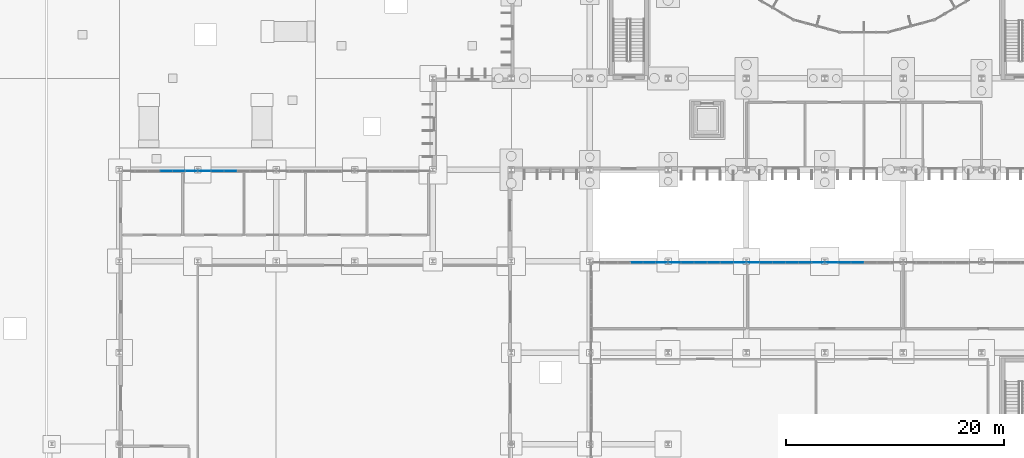
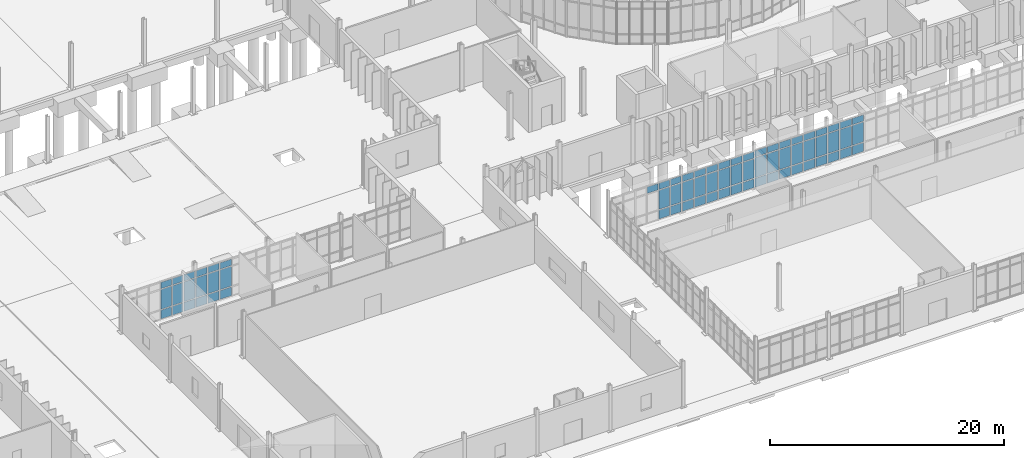
# One storey, part 56 of 118: 70 plates, 6 elements without a shape of their own.
"""IFC4 building model written with IfcOpenShell, lengths in metres."""

from ifc_helpers import new_model, si_unit, direction, frame, origin, origin_2d, place, context, subcontext, project, spatial, rectangle, extrude, material, layer, layer_set, type_object, element, aggregate, save


model = new_model("IFC4")

# Units and contexts
model_context = context("Model", 3, precision=1e-05, world=origin(), true_north=direction((0.0, 1.0)))
body_context = subcontext(model_context, "Body", "Model", "MODEL_VIEW")
ifc_project = project(units=[si_unit("LENGTHUNIT", "METRE"), si_unit("AREAUNIT", "SQUARE_METRE"), si_unit("VOLUMEUNIT", "CUBIC_METRE"), si_unit("PLANEANGLEUNIT", "RADIAN"), si_unit("MASSUNIT", "GRAM", prefix="KILO")], contexts=[model_context])

# Site, building, storey
site_placement = place(None, origin())
site = spatial("IfcSite", under=ifc_project, at=site_placement, CompositionType="ELEMENT")
building_placement = place(site_placement, origin())
building = spatial("IfcBuilding", under=site, at=building_placement, Name="Qelthora Terrace Specialist Clinic", CompositionType="ELEMENT")
storey_placement = place(building_placement, origin())
storey = spatial("IfcBuildingStorey", under=building, at=storey_placement, Name="L00", CompositionType="ELEMENT", Elevation=0.0)

# Curtain wall, plates
ifc_material_1 = material(Name="Aluminium anodized bronze", Category="aluminium")
curtain_wall_type_1 = type_object("IfcCurtainWallType", Name="CW-HALL-L00", PredefinedType="NOTDEFINED", material=ifc_material_1)
curtain_wall_1_placement = place(storey_placement, origin())
curtain_wall_1 = element("IfcCurtainWall", 1, at=curtain_wall_1_placement, inside=storey, type_object=curtain_wall_type_1, Name="Curtain wall CW-L00-201", PredefinedType="NOTDEFINED")
ifc_material_2 = material(Name="Low-E triple-silver insulating glass", Category="glass")
ifc_layer = layer(ifc_material_2, 0.035888671875)
ifc_layer_set = layer_set([ifc_layer], Name="Low-E triple-silver insulating glass")
plate_type = type_object("IfcPlateType", Name="CWP-IGU-36", PredefinedType="CURTAIN_PANEL", material=ifc_layer_set)
plate_1_placement = place(storey_placement, frame((61.908447265625, 33.47998046875, 0.0849609375), z_axis=(0.0, 0.0, 1.0), x_axis=(1.0, 0.0, 0.0)))
plate_1 = element("IfcPlate", 2, at=plate_1_placement, type_object=plate_type, Name="CW-L00-201 glazed panel 10", PredefinedType="CURTAIN_PANEL", context=body_context, shape_type="SweptSolid", body=[
    extrude(rectangle(XDim=1.056640625, YDim=0.035888671875, at=origin_2d()), origin(), (0.0, 0.0, 1.0), 0.919921875),
])
plate_2_placement = place(storey_placement, frame((61.908447265625, 33.47998046875, 1.094970703125), z_axis=(0.0, 0.0, 1.0), x_axis=(1.0, 0.0, 0.0)))
plate_2 = element("IfcPlate", 3, at=plate_2_placement, type_object=plate_type, Name="CW-L00-201 glazed panel 11", PredefinedType="CURTAIN_PANEL", context=body_context, shape_type="SweptSolid", body=[
    extrude(rectangle(XDim=1.056640625, YDim=0.035888671875, at=origin_2d()), origin(), (0.0, 0.0, 1.0), 2.05810546875),
])
plate_3_placement = place(storey_placement, frame((61.908447265625, 33.47998046875, 3.242919921875), z_axis=(0.0, 0.0, 1.0), x_axis=(1.0, 0.0, 0.0)))
plate_3 = element("IfcPlate", 4, at=plate_3_placement, type_object=plate_type, Name="CW-L00-201 glazed panel 12", PredefinedType="CURTAIN_PANEL", context=body_context, shape_type="SweptSolid", body=[
    extrude(rectangle(XDim=1.056640625, YDim=0.035888671875, at=origin_2d()), origin(), (0.0, 0.0, 1.0), 0.669921875),
])
plate_4_placement = place(storey_placement, frame((63.06494140625, 33.47998046875, 0.0849609375), z_axis=(0.0, 0.0, 1.0), x_axis=(1.0, 0.0, 0.0)))
plate_4 = element("IfcPlate", 5, at=plate_4_placement, type_object=plate_type, Name="CW-L00-201 glazed panel 13", PredefinedType="CURTAIN_PANEL", context=body_context, shape_type="SweptSolid", body=[
    extrude(rectangle(XDim=1.056640625, YDim=0.035888671875, at=origin_2d()), origin(), (0.0, 0.0, 1.0), 0.919921875),
])
plate_5_placement = place(storey_placement, frame((63.06494140625, 33.47998046875, 1.094970703125), z_axis=(0.0, 0.0, 1.0), x_axis=(1.0, 0.0, 0.0)))
plate_5 = element("IfcPlate", 6, at=plate_5_placement, type_object=plate_type, Name="CW-L00-201 glazed panel 14", PredefinedType="CURTAIN_PANEL", context=body_context, shape_type="SweptSolid", body=[
    extrude(rectangle(XDim=1.056640625, YDim=0.035888671875, at=origin_2d()), origin(), (0.0, 0.0, 1.0), 2.05810546875),
])
plate_6_placement = place(storey_placement, frame((63.06494140625, 33.47998046875, 3.242919921875), z_axis=(0.0, 0.0, 1.0), x_axis=(1.0, 0.0, 0.0)))
plate_6 = element("IfcPlate", 7, at=plate_6_placement, type_object=plate_type, Name="CW-L00-201 glazed panel 15", PredefinedType="CURTAIN_PANEL", context=body_context, shape_type="SweptSolid", body=[
    extrude(rectangle(XDim=1.056640625, YDim=0.035888671875, at=origin_2d()), origin(), (0.0, 0.0, 1.0), 0.669921875),
])
plate_7_placement = place(storey_placement, frame((64.2216796875, 33.47998046875, 0.0849609375), z_axis=(0.0, 0.0, 1.0), x_axis=(1.0, 0.0, 0.0)))
plate_7 = element("IfcPlate", 8, at=plate_7_placement, type_object=plate_type, Name="CW-L00-201 glazed panel 16", PredefinedType="CURTAIN_PANEL", context=body_context, shape_type="SweptSolid", body=[
    extrude(rectangle(XDim=1.056640625, YDim=0.035888671875, at=origin_2d()), origin(), (0.0, 0.0, 1.0), 0.919921875),
])
plate_8_placement = place(storey_placement, frame((64.2216796875, 33.47998046875, 1.094970703125), z_axis=(0.0, 0.0, 1.0), x_axis=(1.0, 0.0, 0.0)))
plate_8 = element("IfcPlate", 9, at=plate_8_placement, type_object=plate_type, Name="CW-L00-201 glazed panel 17", PredefinedType="CURTAIN_PANEL", context=body_context, shape_type="SweptSolid", body=[
    extrude(rectangle(XDim=1.056640625, YDim=0.035888671875, at=origin_2d()), origin(), (0.0, 0.0, 1.0), 2.05810546875),
])
plate_9_placement = place(storey_placement, frame((64.2216796875, 33.47998046875, 3.242919921875), z_axis=(0.0, 0.0, 1.0), x_axis=(1.0, 0.0, 0.0)))
plate_9 = element("IfcPlate", 10, at=plate_9_placement, type_object=plate_type, Name="CW-L00-201 glazed panel 18", PredefinedType="CURTAIN_PANEL", context=body_context, shape_type="SweptSolid", body=[
    extrude(rectangle(XDim=1.056640625, YDim=0.035888671875, at=origin_2d()), origin(), (0.0, 0.0, 1.0), 0.669921875),
])
aggregate(curtain_wall_1, [plate_1, plate_2, plate_3, plate_4, plate_5, plate_6, plate_7, plate_8, plate_9])

curtain_wall_2_placement = place(storey_placement, origin())
curtain_wall_2 = element("IfcCurtainWall", 11, at=curtain_wall_2_placement, inside=storey, type_object=curtain_wall_type_1, Name="Curtain wall CW-L00-202", PredefinedType="NOTDEFINED")
plate_10_placement = place(storey_placement, frame((65.39990234375, 33.47998046875, 0.0849609375), z_axis=(0.0, 0.0, 1.0), x_axis=(1.0, 0.0, 0.0)))
plate_10 = element("IfcPlate", 12, at=plate_10_placement, type_object=plate_type, Name="CW-L00-202 glazed panel 1", PredefinedType="CURTAIN_PANEL", context=body_context, shape_type="SweptSolid", body=[
    extrude(rectangle(XDim=1.10009765625, YDim=0.035888671875, at=origin_2d()), origin(), (0.0, 0.0, 1.0), 0.919921875),
])
plate_11_placement = place(storey_placement, frame((65.39990234375, 33.47998046875, 1.094970703125), z_axis=(0.0, 0.0, 1.0), x_axis=(1.0, 0.0, 0.0)))
plate_11 = element("IfcPlate", 13, at=plate_11_placement, type_object=plate_type, Name="CW-L00-202 glazed panel 2", PredefinedType="CURTAIN_PANEL", context=body_context, shape_type="SweptSolid", body=[
    extrude(rectangle(XDim=1.10009765625, YDim=0.035888671875, at=origin_2d()), origin(), (0.0, 0.0, 1.0), 2.05810546875),
])
plate_12_placement = place(storey_placement, frame((65.39990234375, 33.47998046875, 3.242919921875), z_axis=(0.0, 0.0, 1.0), x_axis=(1.0, 0.0, 0.0)))
plate_12 = element("IfcPlate", 14, at=plate_12_placement, type_object=plate_type, Name="CW-L00-202 glazed panel 3", PredefinedType="CURTAIN_PANEL", context=body_context, shape_type="SweptSolid", body=[
    extrude(rectangle(XDim=1.10009765625, YDim=0.035888671875, at=origin_2d()), origin(), (0.0, 0.0, 1.0), 0.669921875),
])
plate_13_placement = place(storey_placement, frame((66.60009765625, 33.47998046875, 0.0849609375), z_axis=(0.0, 0.0, 1.0), x_axis=(1.0, 0.0, 0.0)))
plate_13 = element("IfcPlate", 15, at=plate_13_placement, type_object=plate_type, Name="CW-L00-202 glazed panel 4", PredefinedType="CURTAIN_PANEL", context=body_context, shape_type="SweptSolid", body=[
    extrude(rectangle(XDim=1.10009765625, YDim=0.035888671875, at=origin_2d()), origin(), (0.0, 0.0, 1.0), 0.919921875),
])
plate_14_placement = place(storey_placement, frame((66.60009765625, 33.47998046875, 1.094970703125), z_axis=(0.0, 0.0, 1.0), x_axis=(1.0, 0.0, 0.0)))
plate_14 = element("IfcPlate", 16, at=plate_14_placement, type_object=plate_type, Name="CW-L00-202 glazed panel 5", PredefinedType="CURTAIN_PANEL", context=body_context, shape_type="SweptSolid", body=[
    extrude(rectangle(XDim=1.10009765625, YDim=0.035888671875, at=origin_2d()), origin(), (0.0, 0.0, 1.0), 2.05810546875),
])
plate_15_placement = place(storey_placement, frame((66.60009765625, 33.47998046875, 3.242919921875), z_axis=(0.0, 0.0, 1.0), x_axis=(1.0, 0.0, 0.0)))
plate_15 = element("IfcPlate", 17, at=plate_15_placement, type_object=plate_type, Name="CW-L00-202 glazed panel 6", PredefinedType="CURTAIN_PANEL", context=body_context, shape_type="SweptSolid", body=[
    extrude(rectangle(XDim=1.10009765625, YDim=0.035888671875, at=origin_2d()), origin(), (0.0, 0.0, 1.0), 0.669921875),
])
plate_16_placement = place(storey_placement, frame((67.800048828125, 33.47998046875, 0.0849609375), z_axis=(0.0, 0.0, 1.0), x_axis=(1.0, 0.0, 0.0)))
plate_16 = element("IfcPlate", 18, at=plate_16_placement, type_object=plate_type, Name="CW-L00-202 glazed panel 7", PredefinedType="CURTAIN_PANEL", context=body_context, shape_type="SweptSolid", body=[
    extrude(rectangle(XDim=1.10009765625, YDim=0.035888671875, at=origin_2d()), origin(), (0.0, 0.0, 1.0), 0.919921875),
])
plate_17_placement = place(storey_placement, frame((67.800048828125, 33.47998046875, 1.094970703125), z_axis=(0.0, 0.0, 1.0), x_axis=(1.0, 0.0, 0.0)))
plate_17 = element("IfcPlate", 19, at=plate_17_placement, type_object=plate_type, Name="CW-L00-202 glazed panel 8", PredefinedType="CURTAIN_PANEL", context=body_context, shape_type="SweptSolid", body=[
    extrude(rectangle(XDim=1.10009765625, YDim=0.035888671875, at=origin_2d()), origin(), (0.0, 0.0, 1.0), 2.05810546875),
])
plate_18_placement = place(storey_placement, frame((67.800048828125, 33.47998046875, 3.242919921875), z_axis=(0.0, 0.0, 1.0), x_axis=(1.0, 0.0, 0.0)))
plate_18 = element("IfcPlate", 20, at=plate_18_placement, type_object=plate_type, Name="CW-L00-202 glazed panel 9", PredefinedType="CURTAIN_PANEL", context=body_context, shape_type="SweptSolid", body=[
    extrude(rectangle(XDim=1.10009765625, YDim=0.035888671875, at=origin_2d()), origin(), (0.0, 0.0, 1.0), 0.669921875),
])
aggregate(curtain_wall_2, [plate_10, plate_11, plate_12, plate_13, plate_14, plate_15, plate_16, plate_17, plate_18])

curtain_wall_type_2 = type_object("IfcCurtainWallType", Name="CW-CONS-X", PredefinedType="NOTDEFINED", material=ifc_material_1)
curtain_wall_3_placement = place(storey_placement, origin())
curtain_wall_3 = element("IfcCurtainWall", 21, at=curtain_wall_3_placement, inside=storey, type_object=curtain_wall_type_2, Name="Curtain wall CW-L00-214", PredefinedType="NOTDEFINED")
plate_19_placement = place(storey_placement, frame((105.1083984375, 25.080078125, 3.169921875), z_axis=(0.0, 0.0, 1.0), x_axis=(1.0, 0.0, 0.0)))
plate_19 = element("IfcPlate", 22, at=plate_19_placement, type_object=plate_type, Name="CW-L00-214 glazed panel 12", PredefinedType="CURTAIN_PANEL", context=body_context, shape_type="SweptSolid", body=[
    extrude(rectangle(XDim=1.056640625, YDim=0.035888671875, at=origin_2d()), origin(), (0.0, 0.0, 1.0), 0.669921875),
])
plate_20_placement = place(storey_placement, frame((106.264892578125, 25.080078125, 0.0849609375), z_axis=(0.0, 0.0, 1.0), x_axis=(1.0, 0.0, 0.0)))
plate_20 = element("IfcPlate", 23, at=plate_20_placement, type_object=plate_type, Name="CW-L00-214 glazed panel 13", PredefinedType="CURTAIN_PANEL", context=body_context, shape_type="SweptSolid", body=[
    extrude(rectangle(XDim=1.056640625, YDim=0.035888671875, at=origin_2d()), origin(), (0.0, 0.0, 1.0), 0.919921875),
])
plate_21_placement = place(storey_placement, frame((106.264892578125, 25.080078125, 1.0947265625), z_axis=(0.0, 0.0, 1.0), x_axis=(1.0, 0.0, 0.0)))
plate_21 = element("IfcPlate", 24, at=plate_21_placement, type_object=plate_type, Name="CW-L00-214 glazed panel 14", PredefinedType="CURTAIN_PANEL", context=body_context, shape_type="SweptSolid", body=[
    extrude(rectangle(XDim=1.056640625, YDim=0.035888671875, at=origin_2d()), origin(), (0.0, 0.0, 1.0), 1.985107421875),
])
plate_22_placement = place(storey_placement, frame((106.264892578125, 25.080078125, 3.169921875), z_axis=(0.0, 0.0, 1.0), x_axis=(1.0, 0.0, 0.0)))
plate_22 = element("IfcPlate", 25, at=plate_22_placement, type_object=plate_type, Name="CW-L00-214 glazed panel 15", PredefinedType="CURTAIN_PANEL", context=body_context, shape_type="SweptSolid", body=[
    extrude(rectangle(XDim=1.056640625, YDim=0.035888671875, at=origin_2d()), origin(), (0.0, 0.0, 1.0), 0.669921875),
])
plate_23_placement = place(storey_placement, frame((107.421630859375, 25.080078125, 0.0849609375), z_axis=(0.0, 0.0, 1.0), x_axis=(1.0, 0.0, 0.0)))
plate_23 = element("IfcPlate", 26, at=plate_23_placement, type_object=plate_type, Name="CW-L00-214 glazed panel 16", PredefinedType="CURTAIN_PANEL", context=body_context, shape_type="SweptSolid", body=[
    extrude(rectangle(XDim=1.056640625, YDim=0.035888671875, at=origin_2d()), origin(), (0.0, 0.0, 1.0), 0.919921875),
])
plate_24_placement = place(storey_placement, frame((107.421630859375, 25.080078125, 1.0947265625), z_axis=(0.0, 0.0, 1.0), x_axis=(1.0, 0.0, 0.0)))
plate_24 = element("IfcPlate", 27, at=plate_24_placement, type_object=plate_type, Name="CW-L00-214 glazed panel 17", PredefinedType="CURTAIN_PANEL", context=body_context, shape_type="SweptSolid", body=[
    extrude(rectangle(XDim=1.056640625, YDim=0.035888671875, at=origin_2d()), origin(), (0.0, 0.0, 1.0), 1.985107421875),
])
plate_25_placement = place(storey_placement, frame((107.421630859375, 25.080078125, 3.169921875), z_axis=(0.0, 0.0, 1.0), x_axis=(1.0, 0.0, 0.0)))
plate_25 = element("IfcPlate", 28, at=plate_25_placement, type_object=plate_type, Name="CW-L00-214 glazed panel 18", PredefinedType="CURTAIN_PANEL", context=body_context, shape_type="SweptSolid", body=[
    extrude(rectangle(XDim=1.056640625, YDim=0.035888671875, at=origin_2d()), origin(), (0.0, 0.0, 1.0), 0.669921875),
])
aggregate(curtain_wall_3, [plate_19, plate_20, plate_21, plate_22, plate_23, plate_24, plate_25])

curtain_wall_4_placement = place(storey_placement, origin())
curtain_wall_4 = element("IfcCurtainWall", 29, at=curtain_wall_4_placement, inside=storey, type_object=curtain_wall_type_2, Name="Curtain wall CW-L00-215", PredefinedType="NOTDEFINED")
plate_26_placement = place(storey_placement, frame((108.60009765625, 25.080078125, 0.0849609375), z_axis=(0.0, 0.0, 1.0), x_axis=(1.0, 0.0, 0.0)))
plate_26 = element("IfcPlate", 30, at=plate_26_placement, type_object=plate_type, Name="CW-L00-215 glazed panel 1", PredefinedType="CURTAIN_PANEL", context=body_context, shape_type="SweptSolid", body=[
    extrude(rectangle(XDim=1.10009765625, YDim=0.035888671875, at=origin_2d()), origin(), (0.0, 0.0, 1.0), 0.919921875),
])
plate_27_placement = place(storey_placement, frame((108.60009765625, 25.080078125, 1.09521484375), z_axis=(0.0, 0.0, 1.0), x_axis=(1.0, 0.0, 0.0)))
plate_27 = element("IfcPlate", 31, at=plate_27_placement, type_object=plate_type, Name="CW-L00-215 glazed panel 2", PredefinedType="CURTAIN_PANEL", context=body_context, shape_type="SweptSolid", body=[
    extrude(rectangle(XDim=1.10009765625, YDim=0.035888671875, at=origin_2d()), origin(), (0.0, 0.0, 1.0), 1.989990234375),
])
plate_28_placement = place(storey_placement, frame((108.60009765625, 25.080078125, 3.175048828125), z_axis=(0.0, 0.0, 1.0), x_axis=(1.0, 0.0, 0.0)))
plate_28 = element("IfcPlate", 32, at=plate_28_placement, type_object=plate_type, Name="CW-L00-215 glazed panel 3", PredefinedType="CURTAIN_PANEL", context=body_context, shape_type="SweptSolid", body=[
    extrude(rectangle(XDim=1.10009765625, YDim=0.035888671875, at=origin_2d()), origin(), (0.0, 0.0, 1.0), 0.669921875),
])
plate_29_placement = place(storey_placement, frame((109.800048828125, 25.080078125, 0.0849609375), z_axis=(0.0, 0.0, 1.0), x_axis=(1.0, 0.0, 0.0)))
plate_29 = element("IfcPlate", 33, at=plate_29_placement, type_object=plate_type, Name="CW-L00-215 glazed panel 4", PredefinedType="CURTAIN_PANEL", context=body_context, shape_type="SweptSolid", body=[
    extrude(rectangle(XDim=1.10009765625, YDim=0.035888671875, at=origin_2d()), origin(), (0.0, 0.0, 1.0), 0.919921875),
])
plate_30_placement = place(storey_placement, frame((109.800048828125, 25.080078125, 1.09521484375), z_axis=(0.0, 0.0, 1.0), x_axis=(1.0, 0.0, 0.0)))
plate_30 = element("IfcPlate", 34, at=plate_30_placement, type_object=plate_type, Name="CW-L00-215 glazed panel 5", PredefinedType="CURTAIN_PANEL", context=body_context, shape_type="SweptSolid", body=[
    extrude(rectangle(XDim=1.10009765625, YDim=0.035888671875, at=origin_2d()), origin(), (0.0, 0.0, 1.0), 1.989990234375),
])
plate_31_placement = place(storey_placement, frame((109.800048828125, 25.080078125, 3.175048828125), z_axis=(0.0, 0.0, 1.0), x_axis=(1.0, 0.0, 0.0)))
plate_31 = element("IfcPlate", 35, at=plate_31_placement, type_object=plate_type, Name="CW-L00-215 glazed panel 6", PredefinedType="CURTAIN_PANEL", context=body_context, shape_type="SweptSolid", body=[
    extrude(rectangle(XDim=1.10009765625, YDim=0.035888671875, at=origin_2d()), origin(), (0.0, 0.0, 1.0), 0.669921875),
])
plate_32_placement = place(storey_placement, frame((111.0, 25.080078125, 0.0849609375), z_axis=(0.0, 0.0, 1.0), x_axis=(1.0, 0.0, 0.0)))
plate_32 = element("IfcPlate", 36, at=plate_32_placement, type_object=plate_type, Name="CW-L00-215 glazed panel 7", PredefinedType="CURTAIN_PANEL", context=body_context, shape_type="SweptSolid", body=[
    extrude(rectangle(XDim=1.10009765625, YDim=0.035888671875, at=origin_2d()), origin(), (0.0, 0.0, 1.0), 0.919921875),
])
plate_33_placement = place(storey_placement, frame((111.0, 25.080078125, 1.09521484375), z_axis=(0.0, 0.0, 1.0), x_axis=(1.0, 0.0, 0.0)))
plate_33 = element("IfcPlate", 37, at=plate_33_placement, type_object=plate_type, Name="CW-L00-215 glazed panel 8", PredefinedType="CURTAIN_PANEL", context=body_context, shape_type="SweptSolid", body=[
    extrude(rectangle(XDim=1.10009765625, YDim=0.035888671875, at=origin_2d()), origin(), (0.0, 0.0, 1.0), 1.989990234375),
])
plate_34_placement = place(storey_placement, frame((111.0, 25.080078125, 3.175048828125), z_axis=(0.0, 0.0, 1.0), x_axis=(1.0, 0.0, 0.0)))
plate_34 = element("IfcPlate", 38, at=plate_34_placement, type_object=plate_type, Name="CW-L00-215 glazed panel 9", PredefinedType="CURTAIN_PANEL", context=body_context, shape_type="SweptSolid", body=[
    extrude(rectangle(XDim=1.10009765625, YDim=0.035888671875, at=origin_2d()), origin(), (0.0, 0.0, 1.0), 0.669921875),
])
plate_35_placement = place(storey_placement, frame((112.199951171875, 25.080078125, 0.0849609375), z_axis=(0.0, 0.0, 1.0), x_axis=(1.0, 0.0, 0.0)))
plate_35 = element("IfcPlate", 39, at=plate_35_placement, type_object=plate_type, Name="CW-L00-215 glazed panel 10", PredefinedType="CURTAIN_PANEL", context=body_context, shape_type="SweptSolid", body=[
    extrude(rectangle(XDim=1.10009765625, YDim=0.035888671875, at=origin_2d()), origin(), (0.0, 0.0, 1.0), 0.919921875),
])
plate_36_placement = place(storey_placement, frame((112.199951171875, 25.080078125, 1.09521484375), z_axis=(0.0, 0.0, 1.0), x_axis=(1.0, 0.0, 0.0)))
plate_36 = element("IfcPlate", 40, at=plate_36_placement, type_object=plate_type, Name="CW-L00-215 glazed panel 11", PredefinedType="CURTAIN_PANEL", context=body_context, shape_type="SweptSolid", body=[
    extrude(rectangle(XDim=1.10009765625, YDim=0.035888671875, at=origin_2d()), origin(), (0.0, 0.0, 1.0), 1.989990234375),
])
plate_37_placement = place(storey_placement, frame((112.199951171875, 25.080078125, 3.175048828125), z_axis=(0.0, 0.0, 1.0), x_axis=(1.0, 0.0, 0.0)))
plate_37 = element("IfcPlate", 41, at=plate_37_placement, type_object=plate_type, Name="CW-L00-215 glazed panel 12", PredefinedType="CURTAIN_PANEL", context=body_context, shape_type="SweptSolid", body=[
    extrude(rectangle(XDim=1.10009765625, YDim=0.035888671875, at=origin_2d()), origin(), (0.0, 0.0, 1.0), 0.669921875),
])
plate_38_placement = place(storey_placement, frame((113.39990234375, 25.080078125, 0.0849609375), z_axis=(0.0, 0.0, 1.0), x_axis=(1.0, 0.0, 0.0)))
plate_38 = element("IfcPlate", 42, at=plate_38_placement, type_object=plate_type, Name="CW-L00-215 glazed panel 13", PredefinedType="CURTAIN_PANEL", context=body_context, shape_type="SweptSolid", body=[
    extrude(rectangle(XDim=1.10009765625, YDim=0.035888671875, at=origin_2d()), origin(), (0.0, 0.0, 1.0), 0.919921875),
])
plate_39_placement = place(storey_placement, frame((113.39990234375, 25.080078125, 1.09521484375), z_axis=(0.0, 0.0, 1.0), x_axis=(1.0, 0.0, 0.0)))
plate_39 = element("IfcPlate", 43, at=plate_39_placement, type_object=plate_type, Name="CW-L00-215 glazed panel 14", PredefinedType="CURTAIN_PANEL", context=body_context, shape_type="SweptSolid", body=[
    extrude(rectangle(XDim=1.10009765625, YDim=0.035888671875, at=origin_2d()), origin(), (0.0, 0.0, 1.0), 1.989990234375),
])
plate_40_placement = place(storey_placement, frame((113.39990234375, 25.080078125, 3.175048828125), z_axis=(0.0, 0.0, 1.0), x_axis=(1.0, 0.0, 0.0)))
plate_40 = element("IfcPlate", 44, at=plate_40_placement, type_object=plate_type, Name="CW-L00-215 glazed panel 15", PredefinedType="CURTAIN_PANEL", context=body_context, shape_type="SweptSolid", body=[
    extrude(rectangle(XDim=1.10009765625, YDim=0.035888671875, at=origin_2d()), origin(), (0.0, 0.0, 1.0), 0.669921875),
])
plate_41_placement = place(storey_placement, frame((114.60009765625, 25.080078125, 0.0849609375), z_axis=(0.0, 0.0, 1.0), x_axis=(1.0, 0.0, 0.0)))
plate_41 = element("IfcPlate", 45, at=plate_41_placement, type_object=plate_type, Name="CW-L00-215 glazed panel 16", PredefinedType="CURTAIN_PANEL", context=body_context, shape_type="SweptSolid", body=[
    extrude(rectangle(XDim=1.10009765625, YDim=0.035888671875, at=origin_2d()), origin(), (0.0, 0.0, 1.0), 0.919921875),
])
plate_42_placement = place(storey_placement, frame((114.60009765625, 25.080078125, 1.09521484375), z_axis=(0.0, 0.0, 1.0), x_axis=(1.0, 0.0, 0.0)))
plate_42 = element("IfcPlate", 46, at=plate_42_placement, type_object=plate_type, Name="CW-L00-215 glazed panel 17", PredefinedType="CURTAIN_PANEL", context=body_context, shape_type="SweptSolid", body=[
    extrude(rectangle(XDim=1.10009765625, YDim=0.035888671875, at=origin_2d()), origin(), (0.0, 0.0, 1.0), 1.989990234375),
])
plate_43_placement = place(storey_placement, frame((114.60009765625, 25.080078125, 3.175048828125), z_axis=(0.0, 0.0, 1.0), x_axis=(1.0, 0.0, 0.0)))
plate_43 = element("IfcPlate", 47, at=plate_43_placement, type_object=plate_type, Name="CW-L00-215 glazed panel 18", PredefinedType="CURTAIN_PANEL", context=body_context, shape_type="SweptSolid", body=[
    extrude(rectangle(XDim=1.10009765625, YDim=0.035888671875, at=origin_2d()), origin(), (0.0, 0.0, 1.0), 0.669921875),
])
aggregate(curtain_wall_4, [plate_26, plate_27, plate_28, plate_29, plate_30, plate_31, plate_32, plate_33, plate_34, plate_35, plate_36, plate_37, plate_38, plate_39, plate_40, plate_41, plate_42, plate_43])

curtain_wall_5_placement = place(storey_placement, origin())
curtain_wall_5 = element("IfcCurtainWall", 48, at=curtain_wall_5_placement, inside=storey, type_object=curtain_wall_type_2, Name="Curtain wall CW-L00-216", PredefinedType="NOTDEFINED")
plate_44_placement = place(storey_placement, frame((115.800048828125, 25.080078125, 0.0849609375), z_axis=(0.0, 0.0, 1.0), x_axis=(1.0, 0.0, 0.0)))
plate_44 = element("IfcPlate", 49, at=plate_44_placement, type_object=plate_type, Name="CW-L00-216 glazed panel 1", PredefinedType="CURTAIN_PANEL", context=body_context, shape_type="SweptSolid", body=[
    extrude(rectangle(XDim=1.10009765625, YDim=0.035888671875, at=origin_2d()), origin(), (0.0, 0.0, 1.0), 0.919921875),
])
plate_45_placement = place(storey_placement, frame((115.800048828125, 25.080078125, 1.094970703125), z_axis=(0.0, 0.0, 1.0), x_axis=(1.0, 0.0, 0.0)))
plate_45 = element("IfcPlate", 50, at=plate_45_placement, type_object=plate_type, Name="CW-L00-216 glazed panel 2", PredefinedType="CURTAIN_PANEL", context=body_context, shape_type="SweptSolid", body=[
    extrude(rectangle(XDim=1.10009765625, YDim=0.035888671875, at=origin_2d()), origin(), (0.0, 0.0, 1.0), 2.05810546875),
])
plate_46_placement = place(storey_placement, frame((115.800048828125, 25.080078125, 3.242919921875), z_axis=(0.0, 0.0, 1.0), x_axis=(1.0, 0.0, 0.0)))
plate_46 = element("IfcPlate", 51, at=plate_46_placement, type_object=plate_type, Name="CW-L00-216 glazed panel 3", PredefinedType="CURTAIN_PANEL", context=body_context, shape_type="SweptSolid", body=[
    extrude(rectangle(XDim=1.10009765625, YDim=0.035888671875, at=origin_2d()), origin(), (0.0, 0.0, 1.0), 0.669921875),
])
plate_47_placement = place(storey_placement, frame((117.0, 25.080078125, 0.0849609375), z_axis=(0.0, 0.0, 1.0), x_axis=(1.0, 0.0, 0.0)))
plate_47 = element("IfcPlate", 52, at=plate_47_placement, type_object=plate_type, Name="CW-L00-216 glazed panel 4", PredefinedType="CURTAIN_PANEL", context=body_context, shape_type="SweptSolid", body=[
    extrude(rectangle(XDim=1.10009765625, YDim=0.035888671875, at=origin_2d()), origin(), (0.0, 0.0, 1.0), 0.919921875),
])
plate_48_placement = place(storey_placement, frame((117.0, 25.080078125, 1.094970703125), z_axis=(0.0, 0.0, 1.0), x_axis=(1.0, 0.0, 0.0)))
plate_48 = element("IfcPlate", 53, at=plate_48_placement, type_object=plate_type, Name="CW-L00-216 glazed panel 5", PredefinedType="CURTAIN_PANEL", context=body_context, shape_type="SweptSolid", body=[
    extrude(rectangle(XDim=1.10009765625, YDim=0.035888671875, at=origin_2d()), origin(), (0.0, 0.0, 1.0), 2.05810546875),
])
plate_49_placement = place(storey_placement, frame((117.0, 25.080078125, 3.242919921875), z_axis=(0.0, 0.0, 1.0), x_axis=(1.0, 0.0, 0.0)))
plate_49 = element("IfcPlate", 54, at=plate_49_placement, type_object=plate_type, Name="CW-L00-216 glazed panel 6", PredefinedType="CURTAIN_PANEL", context=body_context, shape_type="SweptSolid", body=[
    extrude(rectangle(XDim=1.10009765625, YDim=0.035888671875, at=origin_2d()), origin(), (0.0, 0.0, 1.0), 0.669921875),
])
plate_50_placement = place(storey_placement, frame((118.199951171875, 25.080078125, 0.0849609375), z_axis=(0.0, 0.0, 1.0), x_axis=(1.0, 0.0, 0.0)))
plate_50 = element("IfcPlate", 55, at=plate_50_placement, type_object=plate_type, Name="CW-L00-216 glazed panel 7", PredefinedType="CURTAIN_PANEL", context=body_context, shape_type="SweptSolid", body=[
    extrude(rectangle(XDim=1.10009765625, YDim=0.035888671875, at=origin_2d()), origin(), (0.0, 0.0, 1.0), 0.919921875),
])
plate_51_placement = place(storey_placement, frame((118.199951171875, 25.080078125, 1.094970703125), z_axis=(0.0, 0.0, 1.0), x_axis=(1.0, 0.0, 0.0)))
plate_51 = element("IfcPlate", 56, at=plate_51_placement, type_object=plate_type, Name="CW-L00-216 glazed panel 8", PredefinedType="CURTAIN_PANEL", context=body_context, shape_type="SweptSolid", body=[
    extrude(rectangle(XDim=1.10009765625, YDim=0.035888671875, at=origin_2d()), origin(), (0.0, 0.0, 1.0), 2.05810546875),
])
plate_52_placement = place(storey_placement, frame((118.199951171875, 25.080078125, 3.242919921875), z_axis=(0.0, 0.0, 1.0), x_axis=(1.0, 0.0, 0.0)))
plate_52 = element("IfcPlate", 57, at=plate_52_placement, type_object=plate_type, Name="CW-L00-216 glazed panel 9", PredefinedType="CURTAIN_PANEL", context=body_context, shape_type="SweptSolid", body=[
    extrude(rectangle(XDim=1.10009765625, YDim=0.035888671875, at=origin_2d()), origin(), (0.0, 0.0, 1.0), 0.669921875),
])
plate_53_placement = place(storey_placement, frame((119.39990234375, 25.080078125, 0.0849609375), z_axis=(0.0, 0.0, 1.0), x_axis=(1.0, 0.0, 0.0)))
plate_53 = element("IfcPlate", 58, at=plate_53_placement, type_object=plate_type, Name="CW-L00-216 glazed panel 10", PredefinedType="CURTAIN_PANEL", context=body_context, shape_type="SweptSolid", body=[
    extrude(rectangle(XDim=1.10009765625, YDim=0.035888671875, at=origin_2d()), origin(), (0.0, 0.0, 1.0), 0.919921875),
])
plate_54_placement = place(storey_placement, frame((119.39990234375, 25.080078125, 1.094970703125), z_axis=(0.0, 0.0, 1.0), x_axis=(1.0, 0.0, 0.0)))
plate_54 = element("IfcPlate", 59, at=plate_54_placement, type_object=plate_type, Name="CW-L00-216 glazed panel 11", PredefinedType="CURTAIN_PANEL", context=body_context, shape_type="SweptSolid", body=[
    extrude(rectangle(XDim=1.10009765625, YDim=0.035888671875, at=origin_2d()), origin(), (0.0, 0.0, 1.0), 2.05810546875),
])
plate_55_placement = place(storey_placement, frame((119.39990234375, 25.080078125, 3.242919921875), z_axis=(0.0, 0.0, 1.0), x_axis=(1.0, 0.0, 0.0)))
plate_55 = element("IfcPlate", 60, at=plate_55_placement, type_object=plate_type, Name="CW-L00-216 glazed panel 12", PredefinedType="CURTAIN_PANEL", context=body_context, shape_type="SweptSolid", body=[
    extrude(rectangle(XDim=1.10009765625, YDim=0.035888671875, at=origin_2d()), origin(), (0.0, 0.0, 1.0), 0.669921875),
])
plate_56_placement = place(storey_placement, frame((120.60009765625, 25.080078125, 0.0849609375), z_axis=(0.0, 0.0, 1.0), x_axis=(1.0, 0.0, 0.0)))
plate_56 = element("IfcPlate", 61, at=plate_56_placement, type_object=plate_type, Name="CW-L00-216 glazed panel 13", PredefinedType="CURTAIN_PANEL", context=body_context, shape_type="SweptSolid", body=[
    extrude(rectangle(XDim=1.10009765625, YDim=0.035888671875, at=origin_2d()), origin(), (0.0, 0.0, 1.0), 0.919921875),
])
plate_57_placement = place(storey_placement, frame((120.60009765625, 25.080078125, 1.094970703125), z_axis=(0.0, 0.0, 1.0), x_axis=(1.0, 0.0, 0.0)))
plate_57 = element("IfcPlate", 62, at=plate_57_placement, type_object=plate_type, Name="CW-L00-216 glazed panel 14", PredefinedType="CURTAIN_PANEL", context=body_context, shape_type="SweptSolid", body=[
    extrude(rectangle(XDim=1.10009765625, YDim=0.035888671875, at=origin_2d()), origin(), (0.0, 0.0, 1.0), 2.05810546875),
])
plate_58_placement = place(storey_placement, frame((120.60009765625, 25.080078125, 3.242919921875), z_axis=(0.0, 0.0, 1.0), x_axis=(1.0, 0.0, 0.0)))
plate_58 = element("IfcPlate", 63, at=plate_58_placement, type_object=plate_type, Name="CW-L00-216 glazed panel 15", PredefinedType="CURTAIN_PANEL", context=body_context, shape_type="SweptSolid", body=[
    extrude(rectangle(XDim=1.10009765625, YDim=0.035888671875, at=origin_2d()), origin(), (0.0, 0.0, 1.0), 0.669921875),
])
plate_59_placement = place(storey_placement, frame((121.800048828125, 25.080078125, 0.0849609375), z_axis=(0.0, 0.0, 1.0), x_axis=(1.0, 0.0, 0.0)))
plate_59 = element("IfcPlate", 64, at=plate_59_placement, type_object=plate_type, Name="CW-L00-216 glazed panel 16", PredefinedType="CURTAIN_PANEL", context=body_context, shape_type="SweptSolid", body=[
    extrude(rectangle(XDim=1.10009765625, YDim=0.035888671875, at=origin_2d()), origin(), (0.0, 0.0, 1.0), 0.919921875),
])
plate_60_placement = place(storey_placement, frame((121.800048828125, 25.080078125, 1.094970703125), z_axis=(0.0, 0.0, 1.0), x_axis=(1.0, 0.0, 0.0)))
plate_60 = element("IfcPlate", 65, at=plate_60_placement, type_object=plate_type, Name="CW-L00-216 glazed panel 17", PredefinedType="CURTAIN_PANEL", context=body_context, shape_type="SweptSolid", body=[
    extrude(rectangle(XDim=1.10009765625, YDim=0.035888671875, at=origin_2d()), origin(), (0.0, 0.0, 1.0), 2.05810546875),
])
plate_61_placement = place(storey_placement, frame((121.800048828125, 25.080078125, 3.242919921875), z_axis=(0.0, 0.0, 1.0), x_axis=(1.0, 0.0, 0.0)))
plate_61 = element("IfcPlate", 66, at=plate_61_placement, type_object=plate_type, Name="CW-L00-216 glazed panel 18", PredefinedType="CURTAIN_PANEL", context=body_context, shape_type="SweptSolid", body=[
    extrude(rectangle(XDim=1.10009765625, YDim=0.035888671875, at=origin_2d()), origin(), (0.0, 0.0, 1.0), 0.669921875),
])
aggregate(curtain_wall_5, [plate_44, plate_45, plate_46, plate_47, plate_48, plate_49, plate_50, plate_51, plate_52, plate_53, plate_54, plate_55, plate_56, plate_57, plate_58, plate_59, plate_60, plate_61])

curtain_wall_6_placement = place(storey_placement, origin())
curtain_wall_6 = element("IfcCurtainWall", 67, at=curtain_wall_6_placement, inside=storey, type_object=curtain_wall_type_2, Name="Curtain wall CW-L00-217", PredefinedType="NOTDEFINED")
plate_62_placement = place(storey_placement, frame((123.0, 25.080078125, 0.0849609375), z_axis=(0.0, 0.0, 1.0), x_axis=(1.0, 0.0, 0.0)))
plate_62 = element("IfcPlate", 68, at=plate_62_placement, type_object=plate_type, Name="CW-L00-217 glazed panel 1", PredefinedType="CURTAIN_PANEL", context=body_context, shape_type="SweptSolid", body=[
    extrude(rectangle(XDim=1.10009765625, YDim=0.035888671875, at=origin_2d()), origin(), (0.0, 0.0, 1.0), 0.919921875),
])
plate_63_placement = place(storey_placement, frame((123.0, 25.080078125, 1.094970703125), z_axis=(0.0, 0.0, 1.0), x_axis=(1.0, 0.0, 0.0)))
plate_63 = element("IfcPlate", 69, at=plate_63_placement, type_object=plate_type, Name="CW-L00-217 glazed panel 2", PredefinedType="CURTAIN_PANEL", context=body_context, shape_type="SweptSolid", body=[
    extrude(rectangle(XDim=1.10009765625, YDim=0.035888671875, at=origin_2d()), origin(), (0.0, 0.0, 1.0), 2.06494140625),
])
plate_64_placement = place(storey_placement, frame((123.0, 25.080078125, 3.25), z_axis=(0.0, 0.0, 1.0), x_axis=(1.0, 0.0, 0.0)))
plate_64 = element("IfcPlate", 70, at=plate_64_placement, type_object=plate_type, Name="CW-L00-217 glazed panel 3", PredefinedType="CURTAIN_PANEL", context=body_context, shape_type="SweptSolid", body=[
    extrude(rectangle(XDim=1.10009765625, YDim=0.035888671875, at=origin_2d()), origin(), (0.0, 0.0, 1.0), 0.669921875),
])
plate_65_placement = place(storey_placement, frame((124.199951171875, 25.080078125, 0.0849609375), z_axis=(0.0, 0.0, 1.0), x_axis=(1.0, 0.0, 0.0)))
plate_65 = element("IfcPlate", 71, at=plate_65_placement, type_object=plate_type, Name="CW-L00-217 glazed panel 4", PredefinedType="CURTAIN_PANEL", context=body_context, shape_type="SweptSolid", body=[
    extrude(rectangle(XDim=1.10009765625, YDim=0.035888671875, at=origin_2d()), origin(), (0.0, 0.0, 1.0), 0.919921875),
])
plate_66_placement = place(storey_placement, frame((124.199951171875, 25.080078125, 1.094970703125), z_axis=(0.0, 0.0, 1.0), x_axis=(1.0, 0.0, 0.0)))
plate_66 = element("IfcPlate", 72, at=plate_66_placement, type_object=plate_type, Name="CW-L00-217 glazed panel 5", PredefinedType="CURTAIN_PANEL", context=body_context, shape_type="SweptSolid", body=[
    extrude(rectangle(XDim=1.10009765625, YDim=0.035888671875, at=origin_2d()), origin(), (0.0, 0.0, 1.0), 2.06494140625),
])
plate_67_placement = place(storey_placement, frame((124.199951171875, 25.080078125, 3.25), z_axis=(0.0, 0.0, 1.0), x_axis=(1.0, 0.0, 0.0)))
plate_67 = element("IfcPlate", 73, at=plate_67_placement, type_object=plate_type, Name="CW-L00-217 glazed panel 6", PredefinedType="CURTAIN_PANEL", context=body_context, shape_type="SweptSolid", body=[
    extrude(rectangle(XDim=1.10009765625, YDim=0.035888671875, at=origin_2d()), origin(), (0.0, 0.0, 1.0), 0.669921875),
])
plate_68_placement = place(storey_placement, frame((125.39990234375, 25.080078125, 0.0849609375), z_axis=(0.0, 0.0, 1.0), x_axis=(1.0, 0.0, 0.0)))
plate_68 = element("IfcPlate", 74, at=plate_68_placement, type_object=plate_type, Name="CW-L00-217 glazed panel 7", PredefinedType="CURTAIN_PANEL", context=body_context, shape_type="SweptSolid", body=[
    extrude(rectangle(XDim=1.10009765625, YDim=0.035888671875, at=origin_2d()), origin(), (0.0, 0.0, 1.0), 0.919921875),
])
plate_69_placement = place(storey_placement, frame((125.39990234375, 25.080078125, 1.094970703125), z_axis=(0.0, 0.0, 1.0), x_axis=(1.0, 0.0, 0.0)))
plate_69 = element("IfcPlate", 75, at=plate_69_placement, type_object=plate_type, Name="CW-L00-217 glazed panel 8", PredefinedType="CURTAIN_PANEL", context=body_context, shape_type="SweptSolid", body=[
    extrude(rectangle(XDim=1.10009765625, YDim=0.035888671875, at=origin_2d()), origin(), (0.0, 0.0, 1.0), 2.06494140625),
])
plate_70_placement = place(storey_placement, frame((125.39990234375, 25.080078125, 3.25), z_axis=(0.0, 0.0, 1.0), x_axis=(1.0, 0.0, 0.0)))
plate_70 = element("IfcPlate", 76, at=plate_70_placement, type_object=plate_type, Name="CW-L00-217 glazed panel 9", PredefinedType="CURTAIN_PANEL", context=body_context, shape_type="SweptSolid", body=[
    extrude(rectangle(XDim=1.10009765625, YDim=0.035888671875, at=origin_2d()), origin(), (0.0, 0.0, 1.0), 0.669921875),
])
aggregate(curtain_wall_6, [plate_62, plate_63, plate_64, plate_65, plate_66, plate_67, plate_68, plate_69, plate_70])

save(model, "model.ifc")
